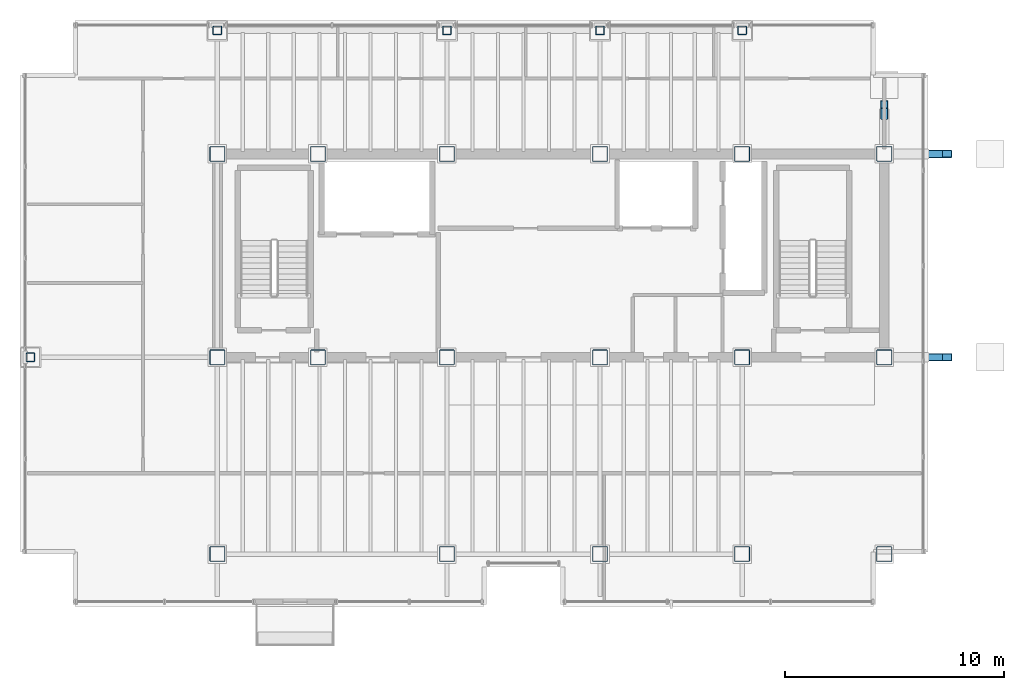
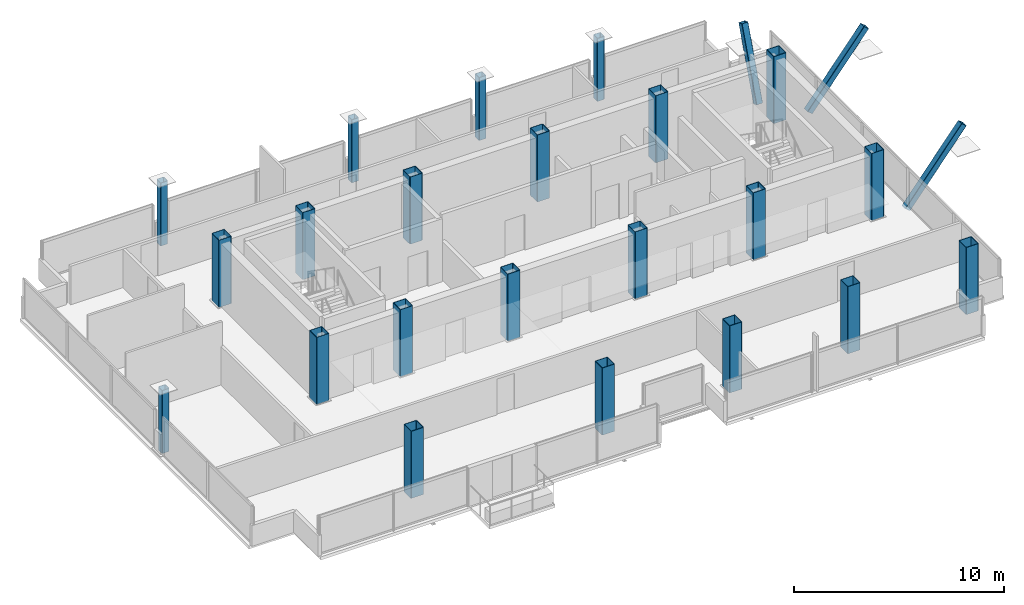
# One storey, part 1 of 16: 25 columns.
"""IFC4 building model written with IfcOpenShell, lengths in metres."""

from ifc_helpers import new_model, si_unit, direction, frame, origin, origin_2d, place, context, subcontext, project, spatial, hollow_rectangle, extrude, material, material_profile, profile_set, type_object, element, save


model = new_model("IFC4")

# Units and contexts
model_context = context("Model", 3, precision=1e-05, world=origin(), true_north=direction((0.0, 1.0)))
body_context = subcontext(model_context, "Body", "Model", "MODEL_VIEW")
ifc_project = project(units=[si_unit("LENGTHUNIT", "METRE"), si_unit("AREAUNIT", "SQUARE_METRE"), si_unit("VOLUMEUNIT", "CUBIC_METRE"), si_unit("PLANEANGLEUNIT", "RADIAN"), si_unit("MASSUNIT", "GRAM", prefix="KILO")], contexts=[model_context])

# Site, building, storey
site_placement = place(None, origin())
site = spatial("IfcSite", under=ifc_project, at=site_placement, CompositionType="ELEMENT")
building_placement = place(site_placement, origin())
building = spatial("IfcBuilding", under=site, at=building_placement, Name="Noeulbin Bourse Tower", CompositionType="ELEMENT")
storey_placement = place(building_placement, frame((0.0, 0.0, 277.39990234375)))
storey = spatial("IfcBuildingStorey", under=building, at=storey_placement, Name="L69", CompositionType="ELEMENT", Elevation=277.39990234375)

# Columns
ifc_material = material(Name="Steel S355", Category="steel")
ifc_material_profile_1 = material_profile(ifc_material, hollow_rectangle(XDim=0.35009765625, YDim=0.35009765625, WallThickness=0.01611328125, InnerFilletRadius=0.01611328125, OuterFilletRadius=0.031982421875, at=origin_2d()), Name="SHS-350x350x16", Category="LoadBearing")
ifc_profile_set_1 = profile_set([ifc_material_profile_1], Name="Steel S355")
column_type_1 = type_object("IfcColumnType", Name="COL-CRN-Z5", PredefinedType="COLUMN", material=ifc_profile_set_1)
for number, where, z_axis, x_axis, name in (
    (1, (45.75, 29.0, -0.199951171875), (0.62617330898, 0.0, 0.779683902054), (0.0, 1.0, 0.0), "Exoskeleton Raking Prop Column L69-01"),
    (2, (45.75, 38.300048828125, -0.199951171875), (0.62617330898, 0.0, 0.779683902054), (0.0, 1.0, 0.0), "Exoskeleton Raking Prop Column L69-02"),
):
    element("IfcColumn", number, at=place(storey_placement, frame(where, z_axis=z_axis, x_axis=x_axis)), inside=storey, type_object=column_type_1, Name=name, PredefinedType="COLUMN", context=body_context, shape_type="SweptSolid", body=[
        extrude(hollow_rectangle(XDim=0.35009765625, YDim=0.35009765625, WallThickness=0.01611328125, InnerFilletRadius=0.01611328125, OuterFilletRadius=0.031982421875, at=origin_2d()), origin(), (0.0, 0.0, 1.0), 4.950927734375),
    ])
column_placement = place(storey_placement, frame((44.0, 40.050048828125, -0.199951171875), z_axis=(0.0, 0.340931357597, 0.940088192356), x_axis=(-1.0, 0.0, 0.0)))
element("IfcColumn", 3, at=column_placement, inside=storey, type_object=column_type_1, Name="Exoskeleton Raking Prop Column L69-03", PredefinedType="COLUMN", context=body_context, shape_type="SweptSolid", body=[
    extrude(hollow_rectangle(XDim=0.35009765625, YDim=0.35009765625, WallThickness=0.01611328125, InnerFilletRadius=0.01611328125, OuterFilletRadius=0.031982421875, at=origin_2d()), origin(), (0.0, 0.0, 1.0), 4.106201171875),
])
ifc_material_profile_2 = material_profile(ifc_material, hollow_rectangle(XDim=0.39990234375, YDim=0.39990234375, WallThickness=0.02001953125, InnerFilletRadius=0.02001953125, OuterFilletRadius=0.0400390625, at=origin_2d()), Name="SHS-400x400x20", Category="LoadBearing")
ifc_profile_set_2 = profile_set([ifc_material_profile_2], Name="Steel S355")
column_type_2 = type_object("IfcColumnType", Name="COL-PER-Z4", PredefinedType="COLUMN", material=ifc_profile_set_2)
for number, where, z_axis, x_axis, name in (
    (4, (4.949951171875, 29.0, 0.0), (0.0, 0.0, 1.0), (1.0, 0.0, 0.0), "Tower Perimeter Column COL-PER-Z4 01"),
    (5, (13.5, 43.949951171875, 0.0), (0.0, 0.0, 1.0), (1.0, 0.0, 0.0), "Tower Perimeter Column COL-PER-Z4 02"),
    (6, (24.0, 43.949951171875, 0.0), (0.0, 0.0, 1.0), (1.0, 0.0, 0.0), "Tower Perimeter Column COL-PER-Z4 03"),
    (7, (31.0, 43.949951171875, 0.0), (0.0, 0.0, 1.0), (1.0, 0.0, 0.0), "Tower Perimeter Column COL-PER-Z4 04"),
    (8, (37.5, 43.949951171875, 0.0), (0.0, 0.0, 1.0), (1.0, 0.0, 0.0), "Tower Perimeter Column COL-PER-Z4 05"),
):
    element("IfcColumn", number, at=place(storey_placement, frame(where, z_axis=z_axis, x_axis=x_axis)), inside=storey, type_object=column_type_2, Name=name, PredefinedType="COLUMN", context=body_context, shape_type="SweptSolid", body=[
        extrude(hollow_rectangle(XDim=0.39990234375, YDim=0.39990234375, WallThickness=0.02001953125, InnerFilletRadius=0.02001953125, OuterFilletRadius=0.0400390625, at=origin_2d()), origin(), (0.0, 0.0, 1.0), 3.66015625),
    ])
ifc_material_profile_3 = material_profile(ifc_material, hollow_rectangle(XDim=0.699951171875, YDim=0.699951171875, WallThickness=0.028076171875, InnerFilletRadius=0.013916015625, OuterFilletRadius=0.0419921875, at=origin_2d()), Name="BOX-700x700x28", Category="LoadBearing")
ifc_profile_set_3 = profile_set([ifc_material_profile_3], Name="Steel S355")
column_type_3 = type_object("IfcColumnType", Name="COL-TRK-Z4", PredefinedType="COLUMN", material=ifc_profile_set_3)
for number, where, z_axis, x_axis, name in (
    (9, (13.5, 29.0, 0.0), (0.0, 0.0, 1.0), (1.0, 0.0, 0.0), "Tower Trunk Mega-Column COL-TRK-Z4 01"),
    (10, (13.5, 38.300048828125, 0.0), (0.0, 0.0, 1.0), (1.0, 0.0, 0.0), "Tower Trunk Mega-Column COL-TRK-Z4 02"),
    (11, (18.10009765625, 29.0, 0.0), (0.0, 0.0, 1.0), (1.0, 0.0, 0.0), "Tower Trunk Mega-Column COL-TRK-Z4 03"),
    (12, (18.10009765625, 38.300048828125, 0.0), (0.0, 0.0, 1.0), (1.0, 0.0, 0.0), "Tower Trunk Mega-Column COL-TRK-Z4 04"),
    (13, (24.0, 29.0, 0.0), (0.0, 0.0, 1.0), (1.0, 0.0, 0.0), "Tower Trunk Mega-Column COL-TRK-Z4 05"),
    (14, (24.0, 38.300048828125, 0.0), (0.0, 0.0, 1.0), (1.0, 0.0, 0.0), "Tower Trunk Mega-Column COL-TRK-Z4 06"),
    (15, (31.0, 29.0, 0.0), (0.0, 0.0, 1.0), (1.0, 0.0, 0.0), "Tower Trunk Mega-Column COL-TRK-Z4 07"),
    (16, (31.0, 38.300048828125, 0.0), (0.0, 0.0, 1.0), (1.0, 0.0, 0.0), "Tower Trunk Mega-Column COL-TRK-Z4 08"),
    (17, (37.5, 29.0, 0.0), (0.0, 0.0, 1.0), (1.0, 0.0, 0.0), "Tower Trunk Mega-Column COL-TRK-Z4 09"),
    (18, (37.5, 38.300048828125, 0.0), (0.0, 0.0, 1.0), (1.0, 0.0, 0.0), "Tower Trunk Mega-Column COL-TRK-Z4 10"),
    (19, (44.0, 29.0, 0.0), (0.0, 0.0, 1.0), (1.0, 0.0, 0.0), "Tower Trunk Mega-Column COL-TRK-Z4 11"),
    (20, (44.0, 38.300048828125, 0.0), (0.0, 0.0, 1.0), (1.0, 0.0, 0.0), "Tower Trunk Mega-Column COL-TRK-Z4 12"),
    (21, (13.5, 20.0, 0.0), (0.0, 0.0, 1.0), (1.0, 0.0, 0.0), "Tower Trunk Mega-Column COL-TRK-Z4 13"),
    (22, (24.0, 20.0, 0.0), (0.0, 0.0, 1.0), (1.0, 0.0, 0.0), "Tower Trunk Mega-Column COL-TRK-Z4 14"),
    (23, (31.0, 20.0, 0.0), (0.0, 0.0, 1.0), (1.0, 0.0, 0.0), "Tower Trunk Mega-Column COL-TRK-Z4 15"),
    (24, (37.5, 20.0, 0.0), (0.0, 0.0, 1.0), (1.0, 0.0, 0.0), "Tower Trunk Mega-Column COL-TRK-Z4 16"),
    (25, (44.0, 20.0, 0.0), (0.0, 0.0, 1.0), (1.0, 0.0, 0.0), "Tower Trunk Mega-Column COL-TRK-Z4 17"),
):
    element("IfcColumn", number, at=place(storey_placement, frame(where, z_axis=z_axis, x_axis=x_axis)), inside=storey, type_object=column_type_3, Name=name, PredefinedType="COLUMN", context=body_context, shape_type="SweptSolid", body=[
        extrude(hollow_rectangle(XDim=0.699951171875, YDim=0.699951171875, WallThickness=0.028076171875, InnerFilletRadius=0.013916015625, OuterFilletRadius=0.0419921875, at=origin_2d()), origin(), (0.0, 0.0, 1.0), 3.900146484375),
    ])

save(model, "model.ifc")
